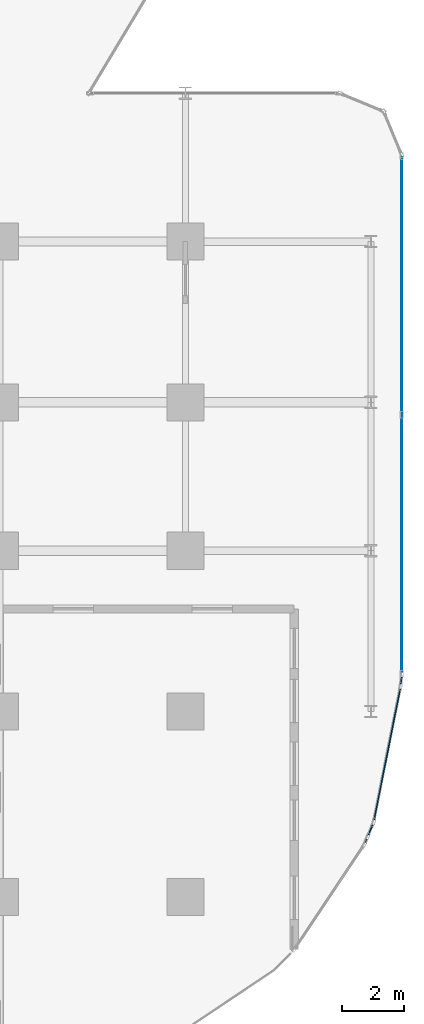
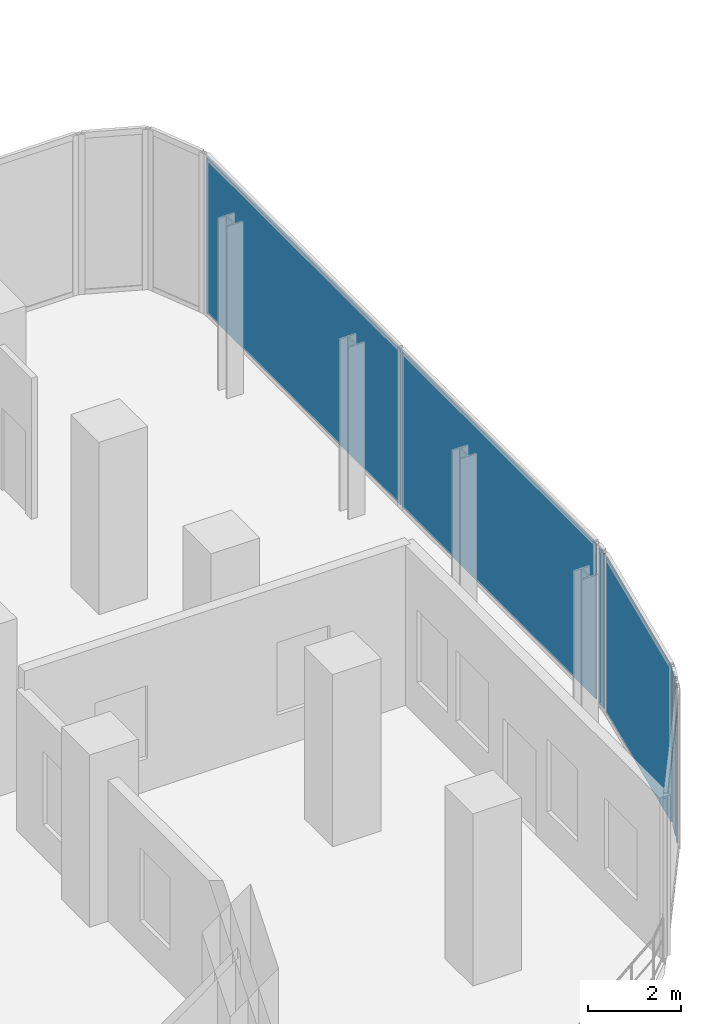
# One storey, part 25 of 30: 6 plates, 5 elements without a shape of their own.
"""IFC4 building model written with IfcOpenShell, lengths in metres."""

from ifc_helpers import new_model, si_unit, direction, frame, origin, origin_2d, place, context, subcontext, project, spatial, rectangle, extrude, material, layer, layer_set, type_object, element, aggregate, save


model = new_model("IFC4")

# Units and contexts
model_context = context("Model", 3, precision=1e-05, world=origin(), true_north=direction((0.0, 1.0)))
body_context = subcontext(model_context, "Body", "Model", "MODEL_VIEW")
ifc_project = project(units=[si_unit("LENGTHUNIT", "METRE"), si_unit("AREAUNIT", "SQUARE_METRE"), si_unit("VOLUMEUNIT", "CUBIC_METRE"), si_unit("PLANEANGLEUNIT", "RADIAN"), si_unit("MASSUNIT", "GRAM", prefix="KILO")], contexts=[model_context])

# Site, building, storey
site_placement = place(None, origin())
site = spatial("IfcSite", under=ifc_project, at=site_placement, CompositionType="ELEMENT")
building_placement = place(site_placement, origin())
building = spatial("IfcBuilding", under=site, at=building_placement, Name="Keshet Zoharim Tower", CompositionType="ELEMENT")
storey_placement = place(building_placement, frame((0.0, 0.0, 65.60009765625)))
storey = spatial("IfcBuildingStorey", under=building, at=storey_placement, Name="L15", CompositionType="ELEMENT", Elevation=65.60009765625)

# Curtain wall, plate
ifc_material_1 = material(Name="Aluminium 6063-T6", Category="aluminium")
ifc_layer_1 = layer(ifc_material_1, 0.179931640625)
ifc_layer_set_1 = layer_set([ifc_layer_1], Name="Aluminium 6063-T6")
curtain_wall_type_1 = type_object("IfcCurtainWallType", Name="CW-SYS-01", PredefinedType="NOTDEFINED", material=ifc_layer_set_1)
curtain_wall_1_placement = place(storey_placement, origin())
curtain_wall_1 = element("IfcCurtainWall", 1, at=curtain_wall_1_placement, inside=storey, type_object=curtain_wall_type_1, Name="L15 Unitised Curtain Wall 16", PredefinedType="NOTDEFINED")
ifc_material_2 = material(Name="Insulated Low-E Clear Glass", Category="glass")
ifc_layer_2 = layer(ifc_material_2, 0.035888671875)
ifc_layer_set_2 = layer_set([ifc_layer_2], Name="Insulated Low-E Clear Glass")
plate_type_1 = type_object("IfcPlateType", Name="CWP-01", PredefinedType="CURTAIN_PANEL", material=ifc_layer_set_2)
plate_1_placement = place(storey_placement, frame((68.988525390625, 8.87451171875, 0.06982421875), z_axis=(0.0, 0.0, 1.0), x_axis=(-0.382295232255, -0.924040234727, 0.0)))
plate_1 = element("IfcPlate", 2, at=plate_1_placement, type_object=plate_type_1, Name="CW-01 panel 1.1", PredefinedType="CURTAIN_PANEL", context=body_context, shape_type="SweptSolid", body=[
    extrude(rectangle(XDim=0.380615234375, YDim=0.035888671875, at=origin_2d()), origin(), (0.0, 0.0, 1.0), 4.044921875),
])
aggregate(curtain_wall_1, [plate_1])

curtain_wall_2_placement = place(storey_placement, origin())
curtain_wall_2 = element("IfcCurtainWall", 3, at=curtain_wall_2_placement, inside=storey, type_object=curtain_wall_type_1, Name="L15 Unitised Curtain Wall 17", PredefinedType="NOTDEFINED")
plate_2_placement = place(storey_placement, frame((68.839111328125, 8.513916015625, 0.06982421875), z_axis=(0.0, 0.0, 1.0), x_axis=(-0.384615384615, -0.923076923077, 0.0)))
plate_2 = element("IfcPlate", 4, at=plate_2_placement, type_object=plate_type_1, Name="CW-01 panel 1.1", PredefinedType="CURTAIN_PANEL", context=body_context, shape_type="SweptSolid", body=[
    extrude(rectangle(XDim=0.1201171875, YDim=0.035888671875, at=origin_2d()), origin(), (0.0, 0.0, 1.0), 4.044921875),
])
aggregate(curtain_wall_2, [plate_2])

# Curtain wall, plates
ifc_layer_3 = layer(ifc_material_1, 0.169921875)
ifc_layer_set_3 = layer_set([ifc_layer_3], Name="Aluminium 6063-T6")
curtain_wall_type_2 = type_object("IfcCurtainWallType", Name="CW-SYS-02", PredefinedType="NOTDEFINED", material=ifc_layer_set_3)
curtain_wall_3_placement = place(storey_placement, origin())
curtain_wall_3 = element("IfcCurtainWall", 5, at=curtain_wall_3_placement, inside=storey, type_object=curtain_wall_type_2, Name="L15 Unitised Curtain Wall 13", PredefinedType="NOTDEFINED")
ifc_layer_4 = layer(ifc_material_2, 0.031982421875)
ifc_layer_set_4 = layer_set([ifc_layer_4], Name="Insulated Low-E Clear Glass")
plate_type_2 = type_object("IfcPlateType", Name="CWP-02", PredefinedType="CURTAIN_PANEL", material=ifc_layer_set_4)
plate_3_placement = place(storey_placement, frame((70.0, 26.481689453125, 0.06982421875), z_axis=(0.0, 0.0, 1.0), x_axis=(0.0, -1.0, 0.0)))
plate_3 = element("IfcPlate", 6, at=plate_3_placement, type_object=plate_type_2, Name="CW-02 panel 1.1", PredefinedType="CURTAIN_PANEL", context=body_context, shape_type="SweptSolid", body=[
    extrude(rectangle(XDim=8.29638671875, YDim=0.031982421875, at=origin_2d()), origin(), (0.0, 0.0, 1.0), 4.044921875),
])
plate_4_placement = place(storey_placement, frame((70.0, 18.115234375, 0.06982421875), z_axis=(0.0, 0.0, 1.0), x_axis=(0.0, -1.0, 0.0)))
plate_4 = element("IfcPlate", 7, at=plate_4_placement, type_object=plate_type_2, Name="CW-02 panel 2.1", PredefinedType="CURTAIN_PANEL", context=body_context, shape_type="SweptSolid", body=[
    extrude(rectangle(XDim=8.29638671875, YDim=0.031982421875, at=origin_2d()), origin(), (0.0, 0.0, 1.0), 4.044921875),
])
aggregate(curtain_wall_3, [plate_3, plate_4])

# Curtain wall, plate
curtain_wall_4_placement = place(storey_placement, origin())
curtain_wall_4 = element("IfcCurtainWall", 8, at=curtain_wall_4_placement, inside=storey, type_object=curtain_wall_type_2, Name="L15 Unitised Curtain Wall 14", PredefinedType="NOTDEFINED")
plate_5_placement = place(storey_placement, frame((69.98095703125, 13.701904296875, 0.06982421875), z_axis=(0.0, 0.0, 1.0), x_axis=(-0.096976648633, -0.995286657009, 0.0)))
plate_5 = element("IfcPlate", 9, at=plate_5_placement, type_object=plate_type_2, Name="CW-02 panel 1.1", PredefinedType="CURTAIN_PANEL", context=body_context, shape_type="SweptSolid", body=[
    extrude(rectangle(XDim=0.251953125, YDim=0.031982421875, at=origin_2d()), origin(), (0.0, 0.0, 1.0), 4.044921875),
])
aggregate(curtain_wall_4, [plate_5])

curtain_wall_5_placement = place(storey_placement, origin())
curtain_wall_5 = element("IfcCurtainWall", 10, at=curtain_wall_5_placement, inside=storey, type_object=curtain_wall_type_2, Name="L15 Unitised Curtain Wall 15", PredefinedType="NOTDEFINED")
plate_6_placement = place(storey_placement, frame((69.52490234375, 11.31103515625, 0.06982421875), z_axis=(0.0, 0.0, 1.0), x_axis=(-0.195171279072, -0.98076917357, 0.0)))
plate_6 = element("IfcPlate", 11, at=plate_6_placement, type_object=plate_type_2, Name="CW-02 panel 1.1", PredefinedType="CURTAIN_PANEL", context=body_context, shape_type="SweptSolid", body=[
    extrude(rectangle(XDim=4.338134765625, YDim=0.031982421875, at=origin_2d()), origin(), (0.0, 0.0, 1.0), 4.044921875),
])
aggregate(curtain_wall_5, [plate_6])

save(model, "model.ifc")
